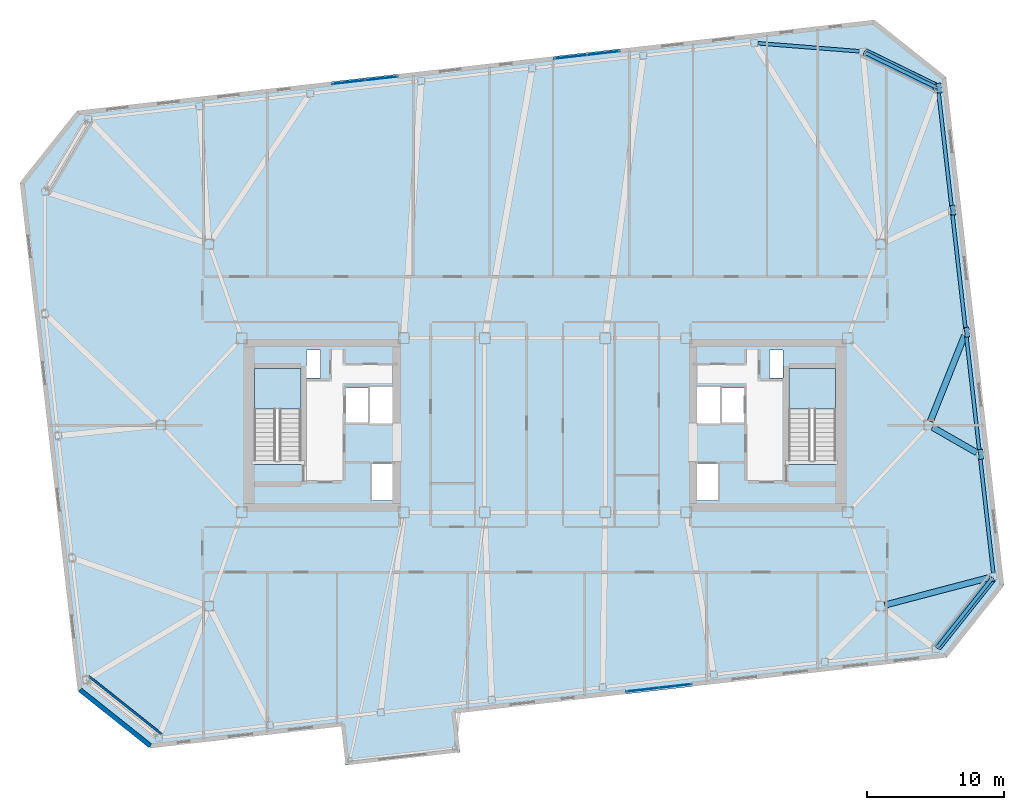
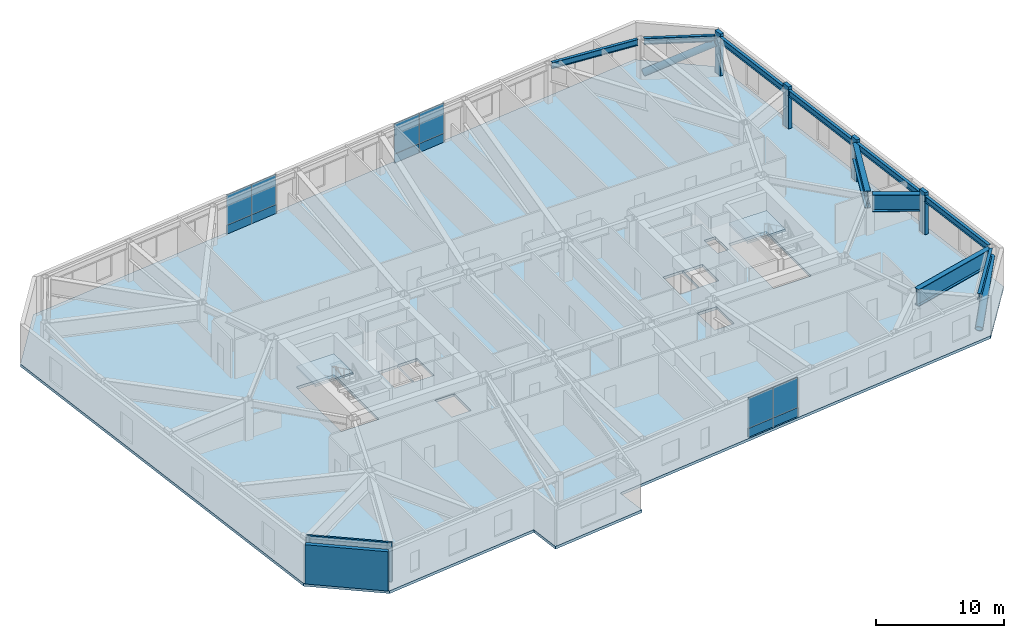
# One storey, part 10 of 18: 12 plates, 10 beams, 6 members, 3 slabs, 2 walls, 5 elements without a shape of their own.
"""IFC4 building model written with IfcOpenShell, lengths in metres."""

from ifc_helpers import new_model, si_unit, direction, frame, frame_2d, origin, origin_2d, place, context, subcontext, project, spatial, polyline, rectangle, hollow_circle, i_section, outline, extrude, material, layer, layer_set, material_profile, profile_set, type_object, element, aggregate, save


model = new_model("IFC4")

# Units and contexts
model_context = context("Model", 3, precision=1e-05, world=origin(), true_north=direction((0.0, 1.0)))
body_context = subcontext(model_context, "Body", "Model", "MODEL_VIEW")
ifc_project = project(units=[si_unit("LENGTHUNIT", "METRE"), si_unit("AREAUNIT", "SQUARE_METRE"), si_unit("VOLUMEUNIT", "CUBIC_METRE"), si_unit("PLANEANGLEUNIT", "RADIAN"), si_unit("MASSUNIT", "GRAM", prefix="KILO")], contexts=[model_context])

# Site, building, storey
site_placement = place(None, origin())
site = spatial("IfcSite", under=ifc_project, at=site_placement, CompositionType="ELEMENT")
building_placement = place(site_placement, origin())
building = spatial("IfcBuilding", under=site, at=building_placement, Name="Tavrogorsk Clinical Tower", CompositionType="ELEMENT")
storey_placement = place(building_placement, frame((0.0, 0.0, 226.199951171875)))
storey = spatial("IfcBuildingStorey", under=building, at=storey_placement, Name="L52", CompositionType="ELEMENT", Elevation=226.199951171875)

# Members
ifc_material_1 = material(Name="Structural steel S440", Category="steel")
ifc_material_profile_1 = material_profile(ifc_material_1, hollow_circle(Radius=0.304931640625, WallThickness=0.02490234375, at=origin_2d()), Name="CHS-610x25")
ifc_profile_set_1 = profile_set([ifc_material_profile_1], Name="Structural steel S440")
member_type_1 = type_object("IfcMemberType", Name="ExoBrace_CHS610", PredefinedType="BRACE", material=ifc_profile_set_1)
member_1_placement = place(storey_placement, frame((28.6572265625, -16.15869140625, 0.398193359375), z_axis=(0.575789482159, 0.723851679348, 0.380138420237), x_axis=(-0.782601910855, 0.622522488852, 0.0)))
element("IfcMember", 1, at=member_1_placement, inside=storey, type_object=member_type_1, Name="L52 Corner Exoskeleton Brace S8-E1", PredefinedType="BRACE", context=body_context, shape_type="SweptSolid", body=[
    extrude(hollow_circle(Radius=0.304931640625, WallThickness=0.02490234375, at=origin_2d()), origin(), (0.0, 0.0, 1.0), 6.8232421875),
])
member_2_placement = place(storey_placement, frame((23.399169921875, 27.150634765625, 0.4072265625), z_axis=(0.817526882464, -0.398699450942, 0.41555811178), x_axis=(0.438340015424, 0.898809229413, 0.0)))
element("IfcMember", 2, at=member_2_placement, inside=storey, type_object=member_type_1, Name="L52 Corner Exoskeleton Brace E5-N1", PredefinedType="BRACE", context=body_context, shape_type="SweptSolid", body=[
    extrude(hollow_circle(Radius=0.304931640625, WallThickness=0.02490234375, at=origin_2d()), origin(), (0.0, 0.0, 1.0), 6.1982421875),
])
ifc_material_2 = material(Name="Precast concrete B45 with limestone cladding", Category="masonry")
ifc_material_profile_2 = material_profile(ifc_material_2, rectangle(XDim=0.320068359375, YDim=0.719970703125, at=origin_2d()), Name="LIMESTONE-FIN-320x720")
ifc_profile_set_2 = profile_set([ifc_material_profile_2], Name="Precast concrete B45 with limestone cladding")
member_type_2 = type_object("IfcMemberType", Name="LimestonePleatFin_320x720", PredefinedType="USERDEFINED", material=ifc_profile_set_2)
for number, where, z_axis, x_axis, name in (
    (3, (31.799560546875, -2.121337890625, 0.0), (0.0, 0.0, 1.0), (0.993571855677, 0.113203213768, 0.0), "L52 E Pleated Stone Fin 1"),
    (4, (30.785400390625, 6.781005859375, 0.0), (0.0, 0.0, 1.0), (0.993571855677, 0.113203213768, 0.0), "L52 E Pleated Stone Fin 2"),
    (5, (29.77099609375, 15.683349609375, 0.0), (0.0, 0.0, 1.0), (0.993571855677, 0.113203213768, 0.0), "L52 E Pleated Stone Fin 3"),
    (6, (28.756591796875, 24.585693359375, 0.0), (0.0, 0.0, 1.0), (0.993571855677, 0.113203213768, 0.0), "L52 E Pleated Stone Fin 4"),
):
    element("IfcMember", number, at=place(storey_placement, frame(where, z_axis=z_axis, x_axis=x_axis)), inside=storey, type_object=member_type_2, Name=name, ObjectType="FIN", PredefinedType="USERDEFINED", context=body_context, shape_type="SweptSolid", body=[
        extrude(rectangle(XDim=0.320068359375, YDim=0.719970703125, at=origin_2d()), origin(), (0.0, 0.0, 1.0), 4.0),
    ])

# Beams
ifc_material_3 = material(Name="Structural steel S390", Category="steel")
ifc_material_profile_3 = material_profile(ifc_material_3, i_section(OverallWidth=0.260009765625, OverallDepth=0.60009765625, WebThickness=0.014892578125, FlangeThickness=0.02392578125, at=origin_2d()), Name="B-600x260x15x24")
ifc_profile_set_3 = profile_set([ifc_material_profile_3], Name="Structural steel S390")
beam_type_1 = type_object("IfcBeamType", Name="SpandrelBeam_B600", PredefinedType="SPANDREL", material=ifc_profile_set_3)
beam_1_placement = place(storey_placement, frame((28.669189453125, -16.1435546875, 3.43994140625), z_axis=(0.622513813188, 0.782608811853, 0.0), x_axis=(-0.782608811853, 0.622513813188, 0.0)))
element("IfcBeam", 7, at=beam_1_placement, inside=storey, type_object=beam_type_1, Name="L52 Perimeter Spandrel S8-E1", PredefinedType="SPANDREL", context=body_context, shape_type="SweptSolid", body=[
    extrude(i_section(OverallWidth=0.260009765625, OverallDepth=0.60009765625, WebThickness=0.014892578125, FlangeThickness=0.02392578125, at=origin_2d()), origin(), (0.0, 0.0, 1.0), 6.272216796875),
])
for number, where, z_axis, x_axis, name in (
    (8, (32.705078125, -10.776611328125, 3.43994140625), (-0.113191877531, 0.993573147212, 0.0), (-0.993573147212, -0.113191877531, 0.0), "L52 Perimeter Spandrel E1-E2"),
    (9, (31.69091796875, -1.874267578125, 3.43994140625), (-0.113191877531, 0.993573147212, 0.0), (-0.993573147212, -0.113191877531, 0.0), "L52 Perimeter Spandrel E2-E3"),
):
    element("IfcBeam", number, at=place(storey_placement, frame(where, z_axis=z_axis, x_axis=x_axis)), inside=storey, type_object=beam_type_1, Name=name, PredefinedType="SPANDREL", context=body_context, shape_type="SweptSolid", body=[
        extrude(i_section(OverallWidth=0.260009765625, OverallDepth=0.60009765625, WebThickness=0.014892578125, FlangeThickness=0.02392578125, at=origin_2d()), origin(), (0.0, 0.0, 1.0), 8.444091796875),
    ])
for number, where, z_axis, x_axis, name in (
    (10, (30.676513671875, 7.0283203125, 3.43994140625), (-0.113195129234, 0.99357277676, 0.0), (-0.99357277676, -0.113195129234, 0.0), "L52 Perimeter Spandrel E3-E4"),
    (11, (29.662353515625, 15.9306640625, 3.43994140625), (-0.113223671813, 0.993569524563, 0.0), (-0.993569524563, -0.113223671813, 0.0), "L52 Perimeter Spandrel E4-E5"),
):
    element("IfcBeam", number, at=place(storey_placement, frame(where, z_axis=z_axis, x_axis=x_axis)), inside=storey, type_object=beam_type_1, Name=name, PredefinedType="SPANDREL", context=body_context, shape_type="SweptSolid", body=[
        extrude(i_section(OverallWidth=0.260009765625, OverallDepth=0.60009765625, WebThickness=0.014892578125, FlangeThickness=0.02392578125, at=origin_2d()), origin(), (0.0, 0.0, 1.0), 8.44384765625),
    ])
beam_2_placement = place(storey_placement, frame((28.4453125, 24.689697265625, 3.43994140625), z_axis=(-0.898811248667, 0.438335874951, 0.0), x_axis=(-0.438335874951, -0.898811248667, 0.0)))
element("IfcBeam", 12, at=beam_2_placement, inside=storey, type_object=beam_type_1, Name="L52 Perimeter Spandrel E5-N1", PredefinedType="SPANDREL", context=body_context, shape_type="SweptSolid", body=[
    extrude(i_section(OverallWidth=0.260009765625, OverallDepth=0.60009765625, WebThickness=0.014892578125, FlangeThickness=0.02392578125, at=origin_2d()), origin(), (0.0, 0.0, 1.0), 5.5908203125),
])
beam_3_placement = place(storey_placement, frame((22.930908203125, 27.273681640625, 3.43994140625), z_axis=(-0.996881705424, 0.078910489738, 0.0), x_axis=(-0.078910489738, -0.996881705424, 0.0)))
element("IfcBeam", 13, at=beam_3_placement, inside=storey, type_object=beam_type_1, Name="L52 Perimeter Spandrel N1-N2", PredefinedType="SPANDREL", context=body_context, shape_type="SweptSolid", body=[
    extrude(i_section(OverallWidth=0.260009765625, OverallDepth=0.60009765625, WebThickness=0.014892578125, FlangeThickness=0.02392578125, at=origin_2d()), origin(), (0.0, 0.0, 1.0), 7.428466796875),
])
ifc_material_4 = material(Name="Structural steel S440", Category="steel")
ifc_material_profile_4 = material_profile(ifc_material_4, i_section(OverallWidth=0.449951171875, OverallDepth=1.60009765625, WebThickness=0.031982421875, FlangeThickness=0.050048828125, at=origin_2d()), Name="DK-1600x450x32x50")
ifc_profile_set_4 = profile_set([ifc_material_profile_4], Name="Structural steel S440")
beam_type_2 = type_object("IfcBeamType", Name="TransferGirder_DK1600", PredefinedType="USERDEFINED", material=ifc_profile_set_4)
beam_4_placement = place(storey_placement, frame((24.7998046875, -13.12109375, 2.93994140625), z_axis=(0.967072149487, 0.254502372652, 0.0), x_axis=(-0.254502372652, 0.967072149487, 0.0)))
element("IfcBeam", 14, at=beam_4_placement, inside=storey, type_object=beam_type_2, Name="L52 Radial Floor Beam E1", ObjectType="GIRDER", PredefinedType="USERDEFINED", context=body_context, shape_type="SweptSolid", body=[
    extrude(i_section(OverallWidth=0.449951171875, OverallDepth=1.60009765625, WebThickness=0.031982421875, FlangeThickness=0.050048828125, at=origin_2d()), origin(), (0.0, 0.0, 1.0), 7.94677734375),
])
beam_5_placement = place(storey_placement, frame((28.26904296875, -0.154052734375, 2.93994140625), z_axis=(0.867782232017, -0.49694466271, 0.0), x_axis=(0.49694466271, 0.867782232017, 0.0)))
element("IfcBeam", 15, at=beam_5_placement, inside=storey, type_object=beam_type_2, Name="L52 Radial Floor Beam E2", ObjectType="GIRDER", PredefinedType="USERDEFINED", context=body_context, shape_type="SweptSolid", body=[
    extrude(i_section(OverallWidth=0.449951171875, OverallDepth=1.60009765625, WebThickness=0.031982421875, FlangeThickness=0.050048828125, at=origin_2d()), origin(), (0.0, 0.0, 1.0), 3.718994140625),
])
beam_6_placement = place(storey_placement, frame((28.114990234375, 0.287841796875, 2.93994140625), z_axis=(0.371052625529, 0.928611839838, 0.0), x_axis=(-0.928611839838, 0.371052625529, 0.0)))
element("IfcBeam", 16, at=beam_6_placement, inside=storey, type_object=beam_type_2, Name="L52 Radial Floor Beam E3", ObjectType="GIRDER", PredefinedType="USERDEFINED", context=body_context, shape_type="SweptSolid", body=[
    extrude(i_section(OverallWidth=0.449951171875, OverallDepth=1.60009765625, WebThickness=0.031982421875, FlangeThickness=0.050048828125, at=origin_2d()), origin(), (0.0, 0.0, 1.0), 6.724365234375),
])

# Curtain wall, plates
ifc_material_5 = material(Name="Anodised aluminium and triple IGU glazing", Category="aluminium")
ifc_layer_1 = layer(ifc_material_5, 0.179931640625)
ifc_layer_set_1 = layer_set([ifc_layer_1], Name="Anodised aluminium and triple IGU glazing")
curtain_wall_type_1 = type_object("IfcCurtainWallType", Name="CW3_SouthSlot", PredefinedType="NOTDEFINED", material=ifc_layer_set_1)
curtain_wall_1_placement = place(storey_placement, origin())
curtain_wall_1 = element("IfcCurtainWall", 17, at=curtain_wall_1_placement, inside=storey, type_object=curtain_wall_type_1, Name="L52 Curtain Wall CW-L52-S-SLOT-2", PredefinedType="NOTDEFINED")
ifc_material_6 = material(Name="Honed Podolsk limestone spandrel panel", Category="masonry")
ifc_layer_2 = layer(ifc_material_6, 0.080078125)
ifc_layer_set_2 = layer_set([ifc_layer_2], Name="Honed Podolsk limestone spandrel panel")
plate_type_1 = type_object("IfcPlateType", Name="CwSpandrelStonePanel_80", PredefinedType="CURTAIN_PANEL", material=ifc_layer_set_2)
plate_1_placement = place(storey_placement, frame((7.125732421875, -19.294921875, 0.002197265625), z_axis=(0.0, 0.0, 1.0), x_axis=(0.993571855603, 0.11320321441, 0.0)))
plate_1 = element("IfcPlate", 18, at=plate_1_placement, type_object=plate_type_1, Name="CW-L52-S-SLOT-2 Stone Spandrel Panel 1", PredefinedType="CURTAIN_PANEL", context=body_context, shape_type="SweptSolid", body=[
    extrude(rectangle(XDim=2.39208984375, YDim=0.080078125, at=origin_2d()), origin(), (0.0, 0.0, 1.0), 0.8359375),
])
plate_2_placement = place(storey_placement, frame((9.526123046875, -19.021484375, 0.002197265625), z_axis=(0.0, 0.0, 1.0), x_axis=(0.993571855603, 0.11320321441, 0.0)))
plate_2 = element("IfcPlate", 19, at=plate_2_placement, type_object=plate_type_1, Name="CW-L52-S-SLOT-2 Stone Spandrel Panel 2", PredefinedType="CURTAIN_PANEL", context=body_context, shape_type="SweptSolid", body=[
    extrude(rectangle(XDim=2.39208984375, YDim=0.080078125, at=origin_2d()), origin(), (0.0, 0.0, 1.0), 0.8359375),
])

ifc_material_7 = material(Name="Anodised aluminium and triple IGU glazing", Category="aluminium")
ifc_layer_3 = layer(ifc_material_7, 0.179931640625)
ifc_layer_set_3 = layer_set([ifc_layer_3], Name="Anodised aluminium and triple IGU glazing")
curtain_wall_type_2 = type_object("IfcCurtainWallType", Name="CW2_NorthSlot", PredefinedType="NOTDEFINED", material=ifc_layer_set_3)
curtain_wall_2_placement = place(storey_placement, origin())
curtain_wall_2 = element("IfcCurtainWall", 20, at=curtain_wall_2_placement, inside=storey, type_object=curtain_wall_type_2, Name="L52 Curtain Wall CW-L52-N-SLOT-1", PredefinedType="NOTDEFINED")
plate_3_placement = place(storey_placement, frame((-11.92578125, 25.294921875, 0.002197265625), z_axis=(0.0, 0.0, 1.0), x_axis=(-0.993571855603, -0.11320321441, 0.0)))
plate_3 = element("IfcPlate", 21, at=plate_3_placement, type_object=plate_type_1, Name="CW-L52-N-SLOT-1 Stone Spandrel Panel 1", PredefinedType="CURTAIN_PANEL", context=body_context, shape_type="SweptSolid", body=[
    extrude(rectangle(XDim=2.39208984375, YDim=0.080078125, at=origin_2d()), origin(), (0.0, 0.0, 1.0), 0.8359375),
])
plate_4_placement = place(storey_placement, frame((-14.326171875, 25.021484375, 0.002197265625), z_axis=(0.0, 0.0, 1.0), x_axis=(-0.993571855603, -0.11320321441, 0.0)))
plate_4 = element("IfcPlate", 22, at=plate_4_placement, type_object=plate_type_1, Name="CW-L52-N-SLOT-1 Stone Spandrel Panel 2", PredefinedType="CURTAIN_PANEL", context=body_context, shape_type="SweptSolid", body=[
    extrude(rectangle(XDim=2.39208984375, YDim=0.080078125, at=origin_2d()), origin(), (0.0, 0.0, 1.0), 0.8359375),
])

curtain_wall_3_placement = place(storey_placement, origin())
curtain_wall_3 = element("IfcCurtainWall", 23, at=curtain_wall_3_placement, inside=storey, type_object=curtain_wall_type_2, Name="L52 Curtain Wall CW-L52-N-SLOT-2", PredefinedType="NOTDEFINED")
plate_5_placement = place(storey_placement, frame((4.266845703125, 27.139892578125, 0.002197265625), z_axis=(0.0, 0.0, 1.0), x_axis=(-0.993571855603, -0.11320321441, 0.0)))
plate_5 = element("IfcPlate", 24, at=plate_5_placement, type_object=plate_type_1, Name="CW-L52-N-SLOT-2 Stone Spandrel Panel 1", PredefinedType="CURTAIN_PANEL", context=body_context, shape_type="SweptSolid", body=[
    extrude(rectangle(XDim=2.39208984375, YDim=0.080078125, at=origin_2d()), origin(), (0.0, 0.0, 1.0), 0.8359375),
])
plate_6_placement = place(storey_placement, frame((1.8662109375, 26.866455078125, 0.002197265625), z_axis=(0.0, 0.0, 1.0), x_axis=(-0.993571855603, -0.11320321441, 0.0)))
plate_6 = element("IfcPlate", 25, at=plate_6_placement, type_object=plate_type_1, Name="CW-L52-N-SLOT-2 Stone Spandrel Panel 2", PredefinedType="CURTAIN_PANEL", context=body_context, shape_type="SweptSolid", body=[
    extrude(rectangle(XDim=2.39208984375, YDim=0.080078125, at=origin_2d()), origin(), (0.0, 0.0, 1.0), 0.8359375),
])

# Plate
ifc_material_8 = material(Name="Triple low-E argon insulated glass", Category="glass")
ifc_layer_4 = layer(ifc_material_8, 0.048095703125)
ifc_layer_set_4 = layer_set([ifc_layer_4], Name="Triple low-E argon insulated glass")
plate_type_2 = type_object("IfcPlateType", Name="CwVisionGlassPanel_48", PredefinedType="CURTAIN_PANEL", material=ifc_layer_set_4)
plate_7_placement = place(storey_placement, frame((7.125732421875, -19.294921875, 0.862060546875), z_axis=(0.0, 0.0, 1.0), x_axis=(0.993571855603, 0.11320321441, 0.0)))
plate_7 = element("IfcPlate", 26, at=plate_7_placement, type_object=plate_type_2, Name="CW-L52-S-SLOT-2 Glazing Panel 1", PredefinedType="CURTAIN_PANEL", context=body_context, shape_type="SweptSolid", body=[
    extrude(rectangle(XDim=2.39208984375, YDim=0.048095703125, at=origin_2d()), origin(), (0.0, 0.0, 1.0), 2.8759765625),
])

plate_8_placement = place(storey_placement, frame((9.526123046875, -19.021484375, 0.862060546875), z_axis=(0.0, 0.0, 1.0), x_axis=(0.993571855603, 0.11320321441, 0.0)))
plate_8 = element("IfcPlate", 27, at=plate_8_placement, type_object=plate_type_2, Name="CW-L52-S-SLOT-2 Glazing Panel 2", PredefinedType="CURTAIN_PANEL", context=body_context, shape_type="SweptSolid", body=[
    extrude(rectangle(XDim=2.39208984375, YDim=0.048095703125, at=origin_2d()), origin(), (0.0, 0.0, 1.0), 2.8759765625),
])

aggregate(curtain_wall_1, [plate_1, plate_7, plate_2, plate_8])

plate_9_placement = place(storey_placement, frame((-11.92578125, 25.294921875, 0.862060546875), z_axis=(0.0, 0.0, 1.0), x_axis=(-0.993571855603, -0.11320321441, 0.0)))
plate_9 = element("IfcPlate", 28, at=plate_9_placement, type_object=plate_type_2, Name="CW-L52-N-SLOT-1 Glazing Panel 1", PredefinedType="CURTAIN_PANEL", context=body_context, shape_type="SweptSolid", body=[
    extrude(rectangle(XDim=2.39208984375, YDim=0.048095703125, at=origin_2d()), origin(), (0.0, 0.0, 1.0), 2.8759765625),
])

plate_10_placement = place(storey_placement, frame((-14.326171875, 25.021484375, 0.862060546875), z_axis=(0.0, 0.0, 1.0), x_axis=(-0.993571855603, -0.11320321441, 0.0)))
plate_10 = element("IfcPlate", 29, at=plate_10_placement, type_object=plate_type_2, Name="CW-L52-N-SLOT-1 Glazing Panel 2", PredefinedType="CURTAIN_PANEL", context=body_context, shape_type="SweptSolid", body=[
    extrude(rectangle(XDim=2.39208984375, YDim=0.048095703125, at=origin_2d()), origin(), (0.0, 0.0, 1.0), 2.8759765625),
])

aggregate(curtain_wall_2, [plate_3, plate_9, plate_4, plate_10])

plate_11_placement = place(storey_placement, frame((4.266845703125, 27.139892578125, 0.862060546875), z_axis=(0.0, 0.0, 1.0), x_axis=(-0.993571855603, -0.11320321441, 0.0)))
plate_11 = element("IfcPlate", 30, at=plate_11_placement, type_object=plate_type_2, Name="CW-L52-N-SLOT-2 Glazing Panel 1", PredefinedType="CURTAIN_PANEL", context=body_context, shape_type="SweptSolid", body=[
    extrude(rectangle(XDim=2.39208984375, YDim=0.048095703125, at=origin_2d()), origin(), (0.0, 0.0, 1.0), 2.8759765625),
])

plate_12_placement = place(storey_placement, frame((1.8662109375, 26.866455078125, 0.862060546875), z_axis=(0.0, 0.0, 1.0), x_axis=(-0.993571855603, -0.11320321441, 0.0)))
plate_12 = element("IfcPlate", 31, at=plate_12_placement, type_object=plate_type_2, Name="CW-L52-N-SLOT-2 Glazing Panel 2", PredefinedType="CURTAIN_PANEL", context=body_context, shape_type="SweptSolid", body=[
    extrude(rectangle(XDim=2.39208984375, YDim=0.048095703125, at=origin_2d()), origin(), (0.0, 0.0, 1.0), 2.8759765625),
])

aggregate(curtain_wall_3, [plate_5, plate_11, plate_6, plate_12])

# Stair, slab
ifc_material_9 = material(Name="Concrete B60", Category="concrete")
stair_type = type_object("IfcStairType", Name="CoreStairAssembly", PredefinedType="HALF_TURN_STAIR", material=ifc_material_9)
stair_1_placement = place(storey_placement, origin())
stair_1 = element("IfcStair", 32, at=stair_1_placement, inside=storey, type_object=stair_type, Name="L52 ST-W", PredefinedType="HALF_TURN_STAIR")
ifc_material_10 = material(Name="Concrete B60", Category="concrete")
ifc_layer_5 = layer(ifc_material_10, 0.199951171875)
ifc_layer_set_5 = layer_set([ifc_layer_5], Name="Concrete B60")
slab_type_1 = type_object("IfcSlabType", Name="StairLanding_200", PredefinedType="LANDING", material=ifc_layer_set_5)
slab_1_placement = place(storey_placement, frame((0.0, 0.0, 1.800048828125)))
slab_1 = element("IfcSlab", 33, at=slab_1_placement, type_object=slab_type_1, Name="ST-W landing 1", PredefinedType="LANDING", context=body_context, shape_type="SweptSolid", body=[
    extrude(outline(polyline([(-17.800048828125, 1.1650390625), (-17.800048828125, 4.125), (-21.199951171875, 4.125), (-21.199951171875, 1.1650390625), (-17.800048828125, 1.1650390625)])), origin(), (0.0, 0.0, 1.0), 0.199951171875),
])
aggregate(stair_1, [slab_1])

stair_2_placement = place(storey_placement, origin())
stair_2 = element("IfcStair", 34, at=stair_2_placement, inside=storey, type_object=stair_type, Name="L52 ST-E", PredefinedType="HALF_TURN_STAIR")
slab_2_placement = place(storey_placement, frame((0.0, 0.0, 1.800048828125)))
slab_2 = element("IfcSlab", 35, at=slab_2_placement, type_object=slab_type_1, Name="ST-E landing 1", PredefinedType="LANDING", context=body_context, shape_type="SweptSolid", body=[
    extrude(outline(polyline([(21.199951171875, 1.1650390625), (21.199951171875, 4.125), (17.800048828125, 4.125), (17.800048828125, 1.1650390625), (21.199951171875, 1.1650390625)])), origin(), (0.0, 0.0, 1.0), 0.199951171875),
])
aggregate(stair_2, [slab_2])

# Slab
ifc_material_11 = material(Name="Concrete B60", Category="concrete")
ifc_layer_6 = layer(ifc_material_11, 0.260009765625)
ifc_layer_set_6 = layer_set([ifc_layer_6], Name="Concrete B60")
slab_type_2 = type_object("IfcSlabType", Name="WardSlab_260", PredefinedType="FLOOR", material=ifc_layer_set_6)
slab_3_placement = place(storey_placement, frame((0.0, 0.0, -0.260009765625)))
element("IfcSlab", 36, at=slab_3_placement, inside=storey, type_object=slab_type_2, Name="L52 Structural Slab", PredefinedType="FLOOR", context=body_context, shape_type="SweptSolid", body=[
    extrude(outline(polyline([(-28.76318359375, -23.55517578125), (-34.075927734375, -19.329345703125), (-38.287109375, 17.631591796875), (-34.061279296875, 22.944091796875), (23.96337890625, 29.55517578125), (29.27587890625, 25.329345703125), (33.487060546875, -11.631591796875), (29.26123046875, -16.944091796875), (-6.50732421875, -21.019287109375), (-6.184814453125, -23.85107421875), (-14.53076171875, -24.802001953125), (-14.853271484375, -21.97021484375), (-28.76318359375, -23.55517578125)]), holes=[polyline([(-17.800048828125, -2.8798828125), (-17.800048828125, 4.125), (-21.199951171875, 4.125), (-21.199951171875, -2.8798828125), (-17.800048828125, -2.8798828125)]), polyline([(21.199951171875, -2.8798828125), (21.199951171875, 4.125), (17.800048828125, 4.125), (17.800048828125, -2.8798828125), (21.199951171875, -2.8798828125)]), polyline([(-14.6201171875, 0.169921875), (-12.860107421875, 0.169921875), (-12.860107421875, 2.72998046875), (-14.6201171875, 2.72998046875), (-14.6201171875, 0.169921875)]), polyline([(-12.72998046875, -5.47998046875), (-10.969970703125, -5.47998046875), (-10.969970703125, -2.820068359375), (-12.72998046875, -2.820068359375), (-12.72998046875, -5.47998046875)]), polyline([(-12.840087890625, 0.1201171875), (-11.080078125, 0.1201171875), (-11.080078125, 2.780029296875), (-12.840087890625, 2.780029296875), (-12.840087890625, 0.1201171875)]), polyline([(12.860107421875, 0.169921875), (14.6201171875, 0.169921875), (14.6201171875, 2.72998046875), (12.860107421875, 2.72998046875), (12.860107421875, 0.169921875)]), polyline([(10.969970703125, -5.47998046875), (12.72998046875, -5.47998046875), (12.72998046875, -2.820068359375), (10.969970703125, -2.820068359375), (10.969970703125, -5.47998046875)]), polyline([(11.080078125, 0.1201171875), (12.840087890625, 0.1201171875), (12.840087890625, 2.780029296875), (11.080078125, 2.780029296875), (11.080078125, 0.1201171875)]), polyline([(-17.3798828125, 3.449951171875), (-16.3798828125, 3.449951171875), (-16.3798828125, 5.5), (-17.3798828125, 5.5), (-17.3798828125, 3.449951171875)]), polyline([(16.3798828125, 3.449951171875), (17.3798828125, 3.449951171875), (17.3798828125, 5.5), (16.3798828125, 5.5), (16.3798828125, 3.449951171875)])]), origin(), (0.0, 0.0, 1.0), 0.260009765625),
])

# Walls
ifc_material_12 = material(Name="Lightweight concrete blockwork B15", Category="masonry")
ifc_layer_7 = layer(ifc_material_12, 0.159912109375)
ifc_layer_set_7 = layer_set([ifc_layer_7], Name="Lightweight concrete blockwork B15")
wall_type_1 = type_object("IfcWallType", Name="PartitionWall_160", PredefinedType="PARTITIONING", material=ifc_layer_set_7)
wall_1_placement = place(storey_placement, frame((-33.265380859375, -18.310546875, 0.0), z_axis=(0.0, 0.0, 1.0), x_axis=(0.782602647064, -0.622521563328, 0.0)))
element("IfcWall", 37, at=wall_1_placement, inside=storey, type_object=wall_type_1, Name="L52 Corner Exoskeleton Brace Furring Wall 4", PredefinedType="PARTITIONING", context=body_context, shape_type="SweptSolid", body=[
    extrude(rectangle(XDim=6.788330078125, YDim=0.159912109375, at=frame_2d((3.39404296875, 0.0))), origin(), (0.0, 0.0, 1.0), 3.739990234375),
])
ifc_material_13 = material(Name="Precast concrete B45 with limestone cladding", Category="masonry")
ifc_layer_8 = layer(ifc_material_13, 0.340087890625)
ifc_layer_set_8 = layer_set([ifc_layer_8], Name="Precast concrete B45 with limestone cladding")
wall_type_2 = type_object("IfcWallType", Name="PrecastLimestoneWall_340", PredefinedType="STANDARD", material=ifc_layer_set_8)
wall_2_placement = place(storey_placement, frame((-33.906982421875, -19.31005859375, 0.0), z_axis=(0.0, 0.0, 1.0), x_axis=(0.782611787794, -0.622510071892, 0.0)))
element("IfcWall", 38, at=wall_2_placement, inside=storey, type_object=wall_type_2, Name="L52 Chamfered Corner Wall 4", PredefinedType="STANDARD", context=body_context, shape_type="SweptSolid", body=[
    extrude(rectangle(XDim=6.5478515625, YDim=0.340087890625, at=frame_2d((3.27392578125, 0.0))), origin(), (0.0, 0.0, 1.0), 3.739990234375),
])

save(model, "model.ifc")
